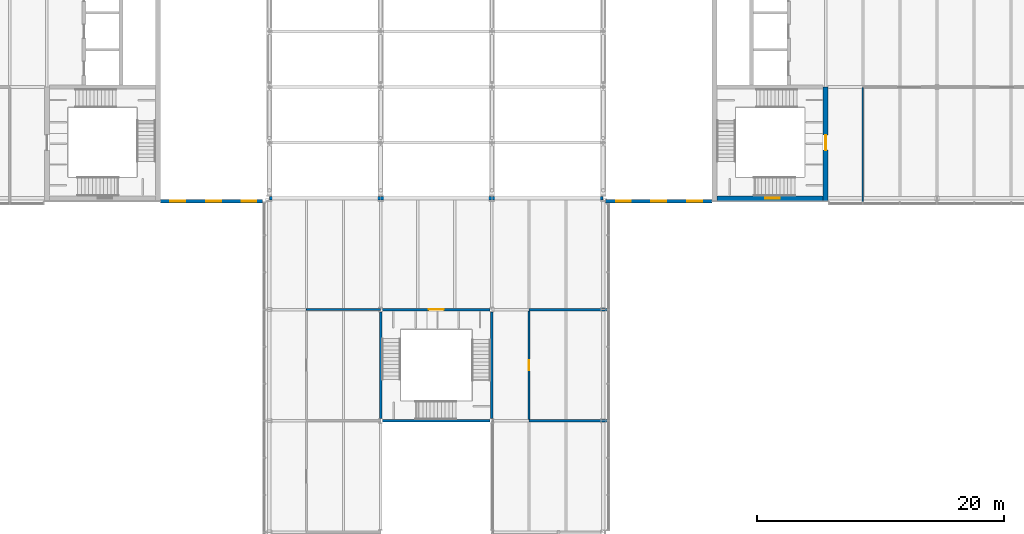
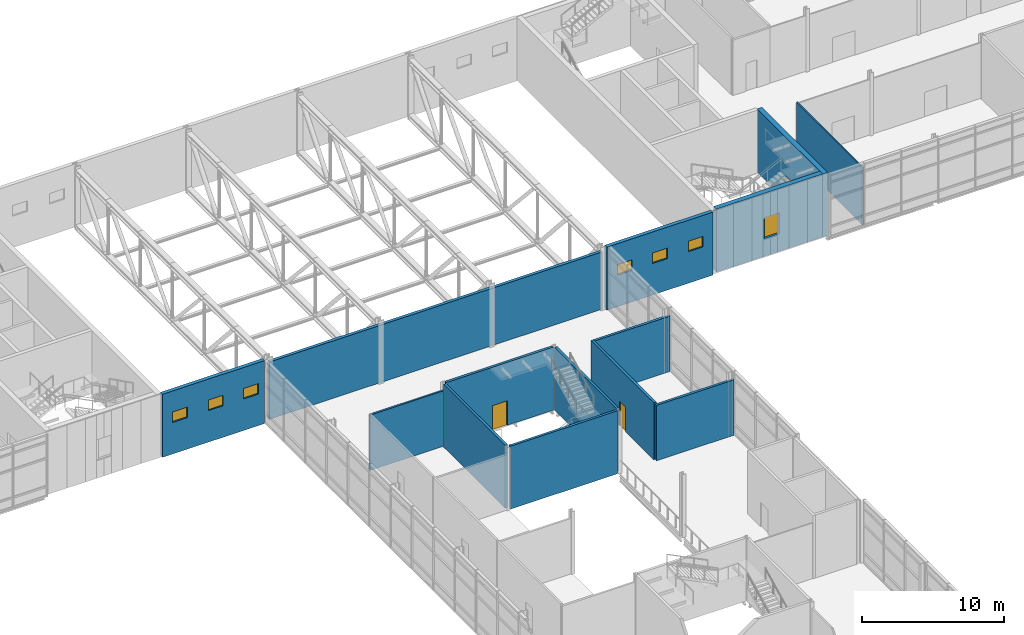
# One storey, part 39 of 53: 14 walls, 7 windows, 3 doors, 10 openings.
"""IFC4 building model written with IfcOpenShell, lengths in metres."""

from ifc_helpers import new_model, si_unit, direction, frame, frame_2d, origin, place, context, subcontext, project, spatial, rectangle, extrude, material, layer, layer_set, type_object, element, fill, save


model = new_model("IFC4")

# Units and contexts
model_context = context("Model", 3, precision=1e-05, world=origin(), true_north=direction((0.0, 1.0)))
body_context = subcontext(model_context, "Body", "Model", "MODEL_VIEW")
ifc_project = project(units=[si_unit("LENGTHUNIT", "METRE"), si_unit("AREAUNIT", "SQUARE_METRE"), si_unit("VOLUMEUNIT", "CUBIC_METRE"), si_unit("PLANEANGLEUNIT", "RADIAN"), si_unit("MASSUNIT", "GRAM", prefix="KILO")], contexts=[model_context])

# Site, building, storey
site_placement = place(None, origin())
site = spatial("IfcSite", under=ifc_project, at=site_placement, CompositionType="ELEMENT")
building_placement = place(site_placement, origin())
building = spatial("IfcBuilding", under=site, at=building_placement, Name="Azimuth Sports and Learning Centre", CompositionType="ELEMENT")
storey_placement = place(building_placement, frame((0.0, 0.0, 10.800048828125)))
storey = spatial("IfcBuildingStorey", under=building, at=storey_placement, Name="L02", CompositionType="ELEMENT", Elevation=10.800048828125)

# Wall, openings, windows
ifc_material_1 = material(Name="Insulated cladding wall")
ifc_layer_1 = layer(ifc_material_1, 0.300048828125)
ifc_layer_set_1 = layer_set([ifc_layer_1], Name="Insulated cladding wall")
wall_type_1 = type_object("IfcWallType", Name="Hall cladding wall 300", PredefinedType="SOLIDWALL", material=ifc_layer_set_1)
wall_1_placement = place(storey_placement, frame((63.199951171875, 89.760009765625, 0.0), z_axis=(0.0, 0.0, 1.0), x_axis=(1.0, 0.0, 0.0)))
wall_1 = element("IfcWall", 1, at=wall_1_placement, inside=storey, type_object=wall_type_1, Name="Hall wall S-HALL W L02", PredefinedType="SOLIDWALL", context=body_context, shape_type="SweptSolid", body=[
    extrude(rectangle(XDim=8.260009765625, YDim=0.300048828125, at=frame_2d((4.1298828125, 0.0))), origin(), (0.0, 0.0, 1.0), 5.39990234375),
])
opening_1_placement = place(wall_1_placement, frame((0.800048828125, 0.0, 2.699951171875)))
opening_1 = element("IfcOpeningElement", 2, at=opening_1_placement, cuts=wall_1, Name="Opening W02-003", PredefinedType="OPENING", context=body_context, shape_type="SweptSolid", body=[
    extrude(rectangle(XDim=1.199951171875, YDim=0.89990234375, at=frame_2d((0.60009765625, 0.449951171875))), frame((0.0, 0.1611328125, 0.0), z_axis=(0.0, -1.0, 0.0), x_axis=(1.0, 0.0, 0.0)), (0.0, 0.0, 1.0), 0.322021484375),
])
opening_2_placement = place(wall_1_placement, frame((3.699951171875, 0.0, 2.699951171875)))
opening_2 = element("IfcOpeningElement", 3, at=opening_2_placement, cuts=wall_1, Name="Opening W02-004", PredefinedType="OPENING", context=body_context, shape_type="SweptSolid", body=[
    extrude(rectangle(XDim=1.199951171875, YDim=0.89990234375, at=frame_2d((0.60009765625, 0.449951171875))), frame((0.0, 0.1611328125, 0.0), z_axis=(0.0, -1.0, 0.0), x_axis=(1.0, 0.0, 0.0)), (0.0, 0.0, 1.0), 0.322021484375),
])
opening_3_placement = place(wall_1_placement, frame((6.550048828125, 0.0, 2.699951171875)))
opening_3 = element("IfcOpeningElement", 4, at=opening_3_placement, cuts=wall_1, Name="Opening W02-005", PredefinedType="OPENING", context=body_context, shape_type="SweptSolid", body=[
    extrude(rectangle(XDim=1.199951171875, YDim=0.89990234375, at=frame_2d((0.60009765625, 0.449951171875))), frame((0.0, 0.1611328125, 0.0), z_axis=(0.0, -1.0, 0.0), x_axis=(1.0, 0.0, 0.0)), (0.0, 0.0, 1.0), 0.322021484375),
])
ifc_material_2 = material(Name="Aluminium and glass", Category="aluminium")
window_type_1 = type_object("IfcWindowType", Name="Truss level vent window 1200x900", PartitioningType="SINGLE_PANEL", PredefinedType="WINDOW", material=ifc_material_2)
window_1_placement = place(opening_1_placement, origin())
window_1 = element("IfcWindow", 5, at=window_1_placement, inside=storey, type_object=window_type_1, Name="Window W02-003", OverallHeight=0.89990234375, OverallWidth=1.199951171875, PartitioningType="SINGLE_PANEL", PredefinedType="WINDOW", context=body_context, shape_type="SweptSolid", body=[
    extrude(rectangle(XDim=1.199951171875, YDim=0.89990234375, at=frame_2d((0.60009765625, 0.449951171875))), frame((0.0, 0.030029296875, 0.0), z_axis=(0.0, -1.0, 0.0), x_axis=(1.0, 0.0, 0.0)), (0.0, 0.0, 1.0), 0.06005859375),
])
fill(opening_1, window_1)
window_2_placement = place(opening_2_placement, origin())
window_2 = element("IfcWindow", 6, at=window_2_placement, inside=storey, type_object=window_type_1, Name="Window W02-004", OverallHeight=0.89990234375, OverallWidth=1.199951171875, PartitioningType="SINGLE_PANEL", PredefinedType="WINDOW", context=body_context, shape_type="SweptSolid", body=[
    extrude(rectangle(XDim=1.199951171875, YDim=0.89990234375, at=frame_2d((0.60009765625, 0.449951171875))), frame((0.0, 0.030029296875, 0.0), z_axis=(0.0, -1.0, 0.0), x_axis=(1.0, 0.0, 0.0)), (0.0, 0.0, 1.0), 0.06005859375),
])
fill(opening_2, window_2)
window_3_placement = place(opening_3_placement, origin())
window_3 = element("IfcWindow", 7, at=window_3_placement, inside=storey, type_object=window_type_1, Name="Window W02-005", OverallHeight=0.89990234375, OverallWidth=1.199951171875, PartitioningType="SINGLE_PANEL", PredefinedType="WINDOW", context=body_context, shape_type="SweptSolid", body=[
    extrude(rectangle(XDim=1.199951171875, YDim=0.89990234375, at=frame_2d((0.60009765625, 0.449951171875))), frame((0.0, 0.030029296875, 0.0), z_axis=(0.0, -1.0, 0.0), x_axis=(1.0, 0.0, 0.0)), (0.0, 0.0, 1.0), 0.06005859375),
])
fill(opening_3, window_3)

wall_2_placement = place(storey_placement, frame((99.199951171875, 89.760009765625, 0.0), z_axis=(0.0, 0.0, 1.0), x_axis=(1.0, 0.0, 0.0)))
wall_2 = element("IfcWall", 8, at=wall_2_placement, inside=storey, type_object=wall_type_1, Name="Hall wall S-HALL E L02", PredefinedType="SOLIDWALL", context=body_context, shape_type="SweptSolid", body=[
    extrude(rectangle(XDim=8.60009765625, YDim=0.300048828125, at=frame_2d((4.300048828125, 0.0))), origin(), (0.0, 0.0, 1.0), 5.39990234375),
])
opening_4_placement = place(wall_2_placement, frame((0.85009765625, 0.0, 2.699951171875)))
opening_4 = element("IfcOpeningElement", 9, at=opening_4_placement, cuts=wall_2, Name="Opening W02-006", PredefinedType="OPENING", context=body_context, shape_type="SweptSolid", body=[
    extrude(rectangle(XDim=1.199951171875, YDim=0.89990234375, at=frame_2d((0.60009765625, 0.449951171875))), frame((0.0, 0.1611328125, 0.0), z_axis=(0.0, -1.0, 0.0), x_axis=(1.0, 0.0, 0.0)), (0.0, 0.0, 1.0), 0.322021484375),
])
opening_5_placement = place(wall_2_placement, frame((3.699951171875, 0.0, 2.699951171875)))
opening_5 = element("IfcOpeningElement", 10, at=opening_5_placement, cuts=wall_2, Name="Opening W02-007", PredefinedType="OPENING", context=body_context, shape_type="SweptSolid", body=[
    extrude(rectangle(XDim=1.199951171875, YDim=0.89990234375, at=frame_2d((0.60009765625, 0.449951171875))), frame((0.0, 0.1611328125, 0.0), z_axis=(0.0, -1.0, 0.0), x_axis=(1.0, 0.0, 0.0)), (0.0, 0.0, 1.0), 0.322021484375),
])
opening_6_placement = place(wall_2_placement, frame((6.60009765625, 0.0, 2.699951171875)))
opening_6 = element("IfcOpeningElement", 11, at=opening_6_placement, cuts=wall_2, Name="Opening W02-008", PredefinedType="OPENING", context=body_context, shape_type="SweptSolid", body=[
    extrude(rectangle(XDim=1.199951171875, YDim=0.89990234375, at=frame_2d((0.60009765625, 0.449951171875))), frame((0.0, 0.1611328125, 0.0), z_axis=(0.0, -1.0, 0.0), x_axis=(1.0, 0.0, 0.0)), (0.0, 0.0, 1.0), 0.322021484375),
])
window_4_placement = place(opening_4_placement, origin())
window_4 = element("IfcWindow", 12, at=window_4_placement, inside=storey, type_object=window_type_1, Name="Window W02-006", OverallHeight=0.89990234375, OverallWidth=1.199951171875, PartitioningType="SINGLE_PANEL", PredefinedType="WINDOW", context=body_context, shape_type="SweptSolid", body=[
    extrude(rectangle(XDim=1.199951171875, YDim=0.89990234375, at=frame_2d((0.60009765625, 0.449951171875))), frame((0.0, 0.030029296875, 0.0), z_axis=(0.0, -1.0, 0.0), x_axis=(1.0, 0.0, 0.0)), (0.0, 0.0, 1.0), 0.06005859375),
])
fill(opening_4, window_4)
window_5_placement = place(opening_5_placement, origin())
window_5 = element("IfcWindow", 13, at=window_5_placement, inside=storey, type_object=window_type_1, Name="Window W02-007", OverallHeight=0.89990234375, OverallWidth=1.199951171875, PartitioningType="SINGLE_PANEL", PredefinedType="WINDOW", context=body_context, shape_type="SweptSolid", body=[
    extrude(rectangle(XDim=1.199951171875, YDim=0.89990234375, at=frame_2d((0.60009765625, 0.449951171875))), frame((0.0, 0.030029296875, 0.0), z_axis=(0.0, -1.0, 0.0), x_axis=(1.0, 0.0, 0.0)), (0.0, 0.0, 1.0), 0.06005859375),
])
fill(opening_5, window_5)
window_6_placement = place(opening_6_placement, origin())
window_6 = element("IfcWindow", 14, at=window_6_placement, inside=storey, type_object=window_type_1, Name="Window W02-008", OverallHeight=0.89990234375, OverallWidth=1.199951171875, PartitioningType="SINGLE_PANEL", PredefinedType="WINDOW", context=body_context, shape_type="SweptSolid", body=[
    extrude(rectangle(XDim=1.199951171875, YDim=0.89990234375, at=frame_2d((0.60009765625, 0.449951171875))), frame((0.0, 0.030029296875, 0.0), z_axis=(0.0, -1.0, 0.0), x_axis=(1.0, 0.0, 0.0)), (0.0, 0.0, 1.0), 0.06005859375),
])
fill(opening_6, window_6)

# Walls
ifc_material_3 = material(Name="Reinforced masonry blockwork", Category="masonry")
ifc_layer_2 = layer(ifc_material_3, 0.25)
ifc_layer_set_2 = layer_set([ifc_layer_2], Name="Reinforced masonry blockwork")
wall_type_2 = type_object("IfcWallType", Name="Hall wall 250 EI 60", PredefinedType="SOLIDWALL", material=ifc_layer_set_2)
wall_3_placement = place(storey_placement, frame((72.0, 90.0, 0.0), z_axis=(0.0, 0.0, 1.0), x_axis=(1.0, 0.0, 0.0)))
element("IfcWall", 15, at=wall_3_placement, inside=storey, type_object=wall_type_2, Name="Hall wall 250 EI 60", PredefinedType="SOLIDWALL", context=body_context, shape_type="SweptSolid", body=[
    extrude(rectangle(XDim=27.0, YDim=0.25, at=frame_2d((13.5, 0.0))), origin(), (0.0, 0.0, 1.0), 4.919921875),
])
ifc_material_4 = material(Name="Gypsum board on steel studs", Category="steel")
ifc_layer_3 = layer(ifc_material_4, 0.10009765625)
ifc_layer_set_3 = layer_set([ifc_layer_3], Name="Gypsum board on steel studs")
wall_type_3 = type_object("IfcWallType", Name="Partition 100 EI 30", PredefinedType="PARTITIONING", material=ifc_layer_set_3)
wall_4_placement = place(storey_placement, frame((120.0, 89.699951171875, 0.0), z_axis=(0.0, 0.0, 1.0), x_axis=(0.0, 1.0, 0.0)))
element("IfcWall", 16, at=wall_4_placement, inside=storey, type_object=wall_type_3, Name="Partition 100 EI 30", PredefinedType="PARTITIONING", context=body_context, shape_type="SweptSolid", body=[
    extrude(rectangle(XDim=9.25, YDim=0.10009765625, at=frame_2d((4.625, 0.0))), origin(), (0.0, 0.0, 1.0), 4.919921875),
])
ifc_material_5 = material(Name="Lightweight blockwork, rendered", Category="masonry")
ifc_layer_4 = layer(ifc_material_5, 0.14990234375)
ifc_layer_set_4 = layer_set([ifc_layer_4], Name="Lightweight blockwork, rendered")
wall_type_4 = type_object("IfcWallType", Name="Partition 150 EI 60", PredefinedType="PARTITIONING", material=ifc_layer_set_4)
wall_5_placement = place(storey_placement, frame((75.0, 81.0, 0.0), z_axis=(0.0, 0.0, 1.0), x_axis=(1.0, 0.0, 0.0)))
element("IfcWall", 17, at=wall_5_placement, inside=storey, type_object=wall_type_4, Name="Partition 150 EI 60", PredefinedType="PARTITIONING", context=body_context, shape_type="SweptSolid", body=[
    extrude(rectangle(XDim=6.0, YDim=0.14990234375, at=frame_2d((3.0, 0.0))), origin(), (0.0, 0.0, 1.0), 4.75),
])
ifc_material_6 = material(Name="Reinforced masonry blockwork", Category="masonry")
ifc_layer_5 = layer(ifc_material_6, 0.199951171875)
ifc_layer_set_5 = layer_set([ifc_layer_5], Name="Reinforced masonry blockwork")
wall_type_5 = type_object("IfcWallType", Name="Plant and shaft wall 200 EI 120", PredefinedType="SOLIDWALL", material=ifc_layer_set_5)
for number, where, z_axis, x_axis, name in (
    (18, (93.0, 72.0, 0.0), (0.0, 0.0, 1.0), (1.0, 0.0, 0.0), "Plant and shaft wall 200 EI 120"),
    (19, (93.0, 81.0, 0.0), (0.0, 0.0, 1.0), (1.0, 0.0, 0.0), "Plant and shaft wall 200 EI 120"),
):
    element("IfcWall", number, at=place(storey_placement, frame(where, z_axis=z_axis, x_axis=x_axis)), inside=storey, type_object=wall_type_5, Name=name, PredefinedType="SOLIDWALL", context=body_context, shape_type="SweptSolid", body=[
        extrude(rectangle(XDim=6.300048828125, YDim=0.199951171875, at=frame_2d((3.14990234375, 0.0))), origin(), (0.0, 0.0, 1.0), 4.75),
    ])

# Wall, opening, door
wall_6_placement = place(storey_placement, frame((93.0, 72.10009765625, 0.0), z_axis=(0.0, 0.0, 1.0), x_axis=(0.0, 1.0, 0.0)))
wall_6 = element("IfcWall", 20, at=wall_6_placement, inside=storey, type_object=wall_type_5, Name="Plant and shaft wall 200 EI 120", PredefinedType="SOLIDWALL", context=body_context, shape_type="SweptSolid", body=[
    extrude(rectangle(XDim=8.7998046875, YDim=0.199951171875, at=frame_2d((4.39990234375, 0.0))), origin(), (0.0, 0.0, 1.0), 4.889892578125),
])
opening_7_placement = place(wall_6_placement, frame((4.0, 0.0, 0.0)))
opening_7 = element("IfcOpeningElement", 21, at=opening_7_placement, cuts=wall_6, Name="Opening D02-058", PredefinedType="OPENING", context=body_context, shape_type="SweptSolid", body=[
    extrude(rectangle(XDim=0.800048828125, YDim=2.10009765625, at=frame_2d((0.39990234375, 1.050048828125))), frame((0.0, 0.11083984375, 0.0), z_axis=(0.0, -1.0, 0.0), x_axis=(1.0, 0.0, 0.0)), (0.0, 0.0, 1.0), 0.221923828125),
])
ifc_material_7 = material(Name="Steel fire door set", Category="steel")
door_type_1 = type_object("IfcDoorType", Name="Steel door single 800x2100 FD120", OperationType="NOTDEFINED", PredefinedType="DOOR", material=ifc_material_7)
door_1_placement = place(opening_7_placement, frame((0.800048828125, 0.0, 0.0), z_axis=(0.0, 0.0, 1.0), x_axis=(-1.0, 0.0, 0.0)))
door_1 = element("IfcDoor", 22, at=door_1_placement, inside=storey, type_object=door_type_1, Name="Door D02-058", OperationType="SINGLE_SWING_RIGHT", OverallHeight=2.10009765625, OverallWidth=0.800048828125, PredefinedType="DOOR", context=body_context, shape_type="SweptSolid", body=[
    extrude(rectangle(XDim=0.800048828125, YDim=2.10009765625, at=frame_2d((0.39990234375, 1.050048828125))), frame((0.0, 0.02490234375, 0.0), z_axis=(0.0, -1.0, 0.0), x_axis=(1.0, 0.0, 0.0)), (0.0, 0.0, 1.0), 0.050048828125),
])
fill(opening_7, door_1)

# Wall
ifc_material_8 = material(Name="Concrete C40/50", Category="concrete")
ifc_layer_6 = layer(ifc_material_8, 0.199951171875)
ifc_layer_set_6 = layer_set([ifc_layer_6], Name="Concrete C40/50")
wall_type_6 = type_object("IfcWallType", Name="RC cell wall 200 EI 120", PredefinedType="SHEAR", material=ifc_layer_set_6)
wall_7_placement = place(storey_placement, frame((81.14990234375, 72.0, 0.0), z_axis=(0.0, 0.0, 1.0), x_axis=(1.0, 0.0, 0.0)))
element("IfcWall", 23, at=wall_7_placement, inside=storey, type_object=wall_type_6, Name="CE-STD-S-L02", PredefinedType="SHEAR", context=body_context, shape_type="SweptSolid", body=[
    extrude(rectangle(XDim=8.7001953125, YDim=0.199951171875, at=frame_2d((4.35009765625, 0.0))), origin(), (0.0, 0.0, 1.0), 5.39990234375),
])

# Wall, opening, door
wall_8_placement = place(storey_placement, frame((81.14990234375, 81.0, 0.0), z_axis=(0.0, 0.0, 1.0), x_axis=(1.0, 0.0, 0.0)))
wall_8 = element("IfcWall", 24, at=wall_8_placement, inside=storey, type_object=wall_type_6, Name="CE-STD-N-L02", PredefinedType="SHEAR", context=body_context, shape_type="SweptSolid", body=[
    extrude(rectangle(XDim=8.7001953125, YDim=0.199951171875, at=frame_2d((4.35009765625, 0.0))), origin(), (0.0, 0.0, 1.0), 5.39990234375),
])
opening_8_placement = place(wall_8_placement, frame((3.75, 0.0, 0.0)))
opening_8 = element("IfcOpeningElement", 25, at=opening_8_placement, cuts=wall_8, Name="Opening D02-018", PredefinedType="OPENING", context=body_context, shape_type="SweptSolid", body=[
    extrude(rectangle(XDim=1.199951171875, YDim=2.10009765625, at=frame_2d((0.60009765625, 1.050048828125))), frame((0.0, 0.11083984375, 0.0), z_axis=(0.0, -1.0, 0.0), x_axis=(1.0, 0.0, 0.0)), (0.0, 0.0, 1.0), 0.221923828125),
])
ifc_material_9 = material(Name="Steel", Category="steel")
door_type_2 = type_object("IfcDoorType", Name="Stair fire door 1200 x 2100", OperationType="NOTDEFINED", PredefinedType="DOOR", material=ifc_material_9)
door_2_placement = place(opening_8_placement, origin())
door_2 = element("IfcDoor", 26, at=door_2_placement, inside=storey, type_object=door_type_2, Name="Stair door STD L02", OperationType="SINGLE_SWING_RIGHT", OverallHeight=2.10009765625, OverallWidth=1.199951171875, PredefinedType="DOOR", context=body_context, shape_type="SweptSolid", body=[
    extrude(rectangle(XDim=1.199951171875, YDim=2.10009765625, at=frame_2d((0.60009765625, 1.050048828125))), frame((0.0, 0.02490234375, 0.0), z_axis=(0.0, -1.0, 0.0), x_axis=(1.0, 0.0, 0.0)), (0.0, 0.0, 1.0), 0.050048828125),
])
fill(opening_8, door_2)

# Walls
for number, where, z_axis, x_axis, name in (
    (27, (81.0, 72.179931640625, 0.0), (0.0, 0.0, 1.0), (0.0, 1.0, 0.0), "CE-STD-W-L02"),
    (28, (90.0, 72.179931640625, 0.0), (0.0, 0.0, 1.0), (0.0, 1.0, 0.0), "CE-STD-E-L02"),
):
    element("IfcWall", number, at=place(storey_placement, frame(where, z_axis=z_axis, x_axis=x_axis)), inside=storey, type_object=wall_type_6, Name=name, PredefinedType="SHEAR", context=body_context, shape_type="SweptSolid", body=[
        extrude(rectangle(XDim=8.64013671875, YDim=0.199951171875, at=frame_2d((4.320068359375, 0.0))), origin(), (0.0, 0.0, 1.0), 5.39990234375),
    ])

# Wall, opening, door
ifc_material_10 = material(Name="Concrete C40/50", Category="concrete")
ifc_layer_7 = layer(ifc_material_10, 0.39990234375)
ifc_layer_set_7 = layer_set([ifc_layer_7], Name="Concrete C40/50")
wall_type_7 = type_object("IfcWallType", Name="RC core wall 400", PredefinedType="SHEAR", material=ifc_layer_set_7)
wall_9_placement = place(storey_placement, frame((117.0, 89.800048828125, 0.0), z_axis=(0.0, 0.0, 1.0), x_axis=(0.0, 1.0, 0.0)))
wall_9 = element("IfcWall", 29, at=wall_9_placement, inside=storey, type_object=wall_type_7, Name="Core wall E ES L02", PredefinedType="SHEAR", context=body_context, shape_type="SweptSolid", body=[
    extrude(rectangle(XDim=9.199951171875, YDim=0.39990234375, at=frame_2d((4.60009765625, 0.0))), origin(), (0.0, 0.0, 1.0), 5.39990234375),
])
opening_9_placement = place(wall_9_placement, frame((4.10009765625, 0.0, 0.0)))
opening_9 = element("IfcOpeningElement", 30, at=opening_9_placement, cuts=wall_9, Name="Opening D02-003", PredefinedType="OPENING", context=body_context, shape_type="SweptSolid", body=[
    extrude(rectangle(XDim=1.199951171875, YDim=2.10009765625, at=frame_2d((0.60009765625, 1.050048828125))), frame((0.0, 0.2109375, 0.0), z_axis=(0.0, -1.0, 0.0), x_axis=(1.0, 0.0, 0.0)), (0.0, 0.0, 1.0), 0.421875),
])
door_3_placement = place(opening_9_placement, frame((1.199951171875, 0.0, 0.0), z_axis=(0.0, 0.0, 1.0), x_axis=(-1.0, 0.0, 0.0)))
door_3 = element("IfcDoor", 31, at=door_3_placement, inside=storey, type_object=door_type_2, Name="Stair door E1 L02", OperationType="SINGLE_SWING_LEFT", OverallHeight=2.10009765625, OverallWidth=1.199951171875, PredefinedType="DOOR", context=body_context, shape_type="SweptSolid", body=[
    extrude(rectangle(XDim=1.199951171875, YDim=2.10009765625, at=frame_2d((0.60009765625, 1.050048828125))), frame((0.0, 0.02490234375, 0.0), z_axis=(0.0, -1.0, 0.0), x_axis=(1.0, 0.0, 0.0)), (0.0, 0.0, 1.0), 0.050048828125),
])
fill(opening_9, door_3)

# Wall, opening, window
ifc_material_11 = material(Name="Concrete C40/50", Category="concrete")
ifc_layer_8 = layer(ifc_material_11, 0.39990234375)
ifc_layer_set_8 = layer_set([ifc_layer_8], Name="Concrete C40/50")
wall_type_8 = type_object("IfcWallType", Name="RC external core wall 400", PredefinedType="SHEAR", material=ifc_layer_set_8)
wall_10_placement = place(storey_placement, frame((108.199951171875, 90.0, 0.0), z_axis=(0.0, 0.0, 1.0), x_axis=(1.0, 0.0, 0.0)))
wall_10 = element("IfcWall", 32, at=wall_10_placement, inside=storey, type_object=wall_type_8, Name="Core wall E S L02", PredefinedType="SHEAR", context=body_context, shape_type="SweptSolid", body=[
    extrude(rectangle(XDim=8.60009765625, YDim=0.39990234375, at=frame_2d((4.300048828125, 0.0))), origin(), (0.0, 0.0, 1.0), 5.39990234375),
])
opening_10_placement = place(wall_10_placement, frame((3.89990234375, 0.0, 1.5)))
opening_10 = element("IfcOpeningElement", 33, at=opening_10_placement, cuts=wall_10, Name="Opening W02-009", PredefinedType="OPENING", context=body_context, shape_type="SweptSolid", body=[
    extrude(rectangle(XDim=1.199951171875, YDim=1.800048828125, at=frame_2d((0.60009765625, 0.89990234375))), frame((0.0, 0.2109375, 0.0), z_axis=(0.0, -1.0, 0.0), x_axis=(1.0, 0.0, 0.0)), (0.0, 0.0, 1.0), 0.421875),
])
ifc_material_12 = material(Name="Aluminium and glass", Category="aluminium")
window_type_2 = type_object("IfcWindowType", Name="Stair window podium core 1200x1800", PartitioningType="SINGLE_PANEL", PredefinedType="WINDOW", material=ifc_material_12)
window_7_placement = place(opening_10_placement, origin())
window_7 = element("IfcWindow", 34, at=window_7_placement, inside=storey, type_object=window_type_2, Name="Window W02-009", OverallHeight=1.800048828125, OverallWidth=1.199951171875, PartitioningType="SINGLE_PANEL", PredefinedType="WINDOW", context=body_context, shape_type="SweptSolid", body=[
    extrude(rectangle(XDim=1.199951171875, YDim=1.800048828125, at=frame_2d((0.60009765625, 0.89990234375))), frame((0.0, 0.030029296875, 0.0), z_axis=(0.0, -1.0, 0.0), x_axis=(1.0, 0.0, 0.0)), (0.0, 0.0, 1.0), 0.06005859375),
])
fill(opening_10, window_7)

save(model, "model.ifc")
